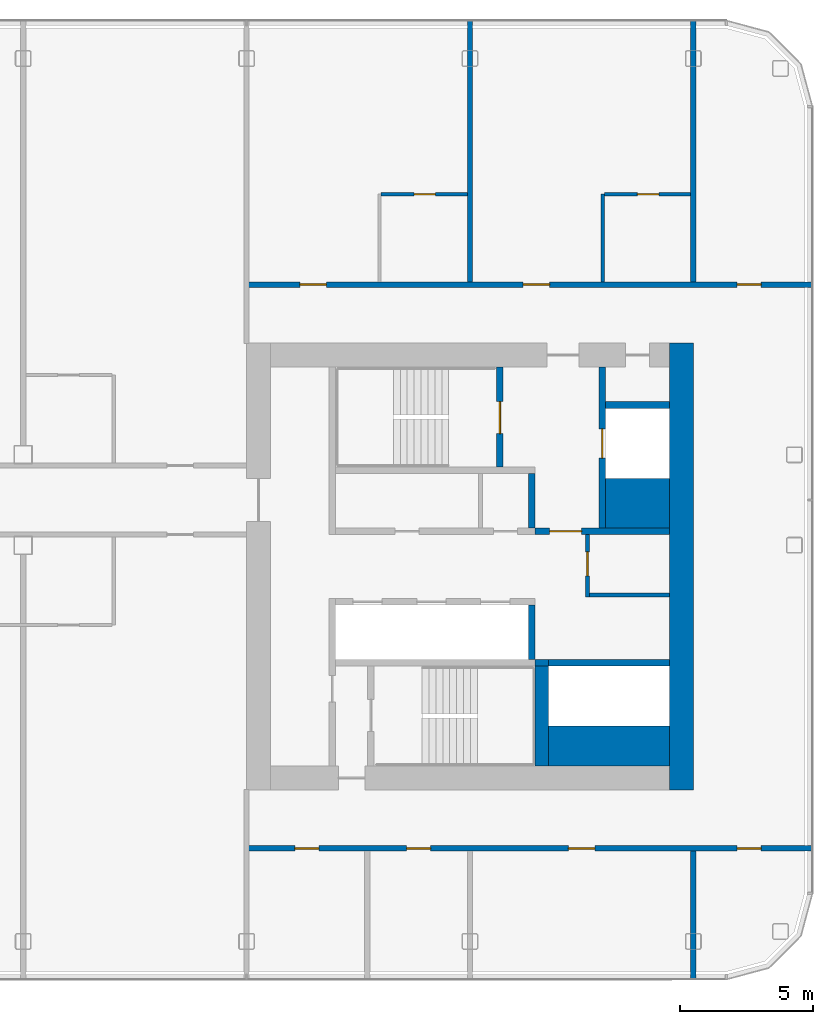
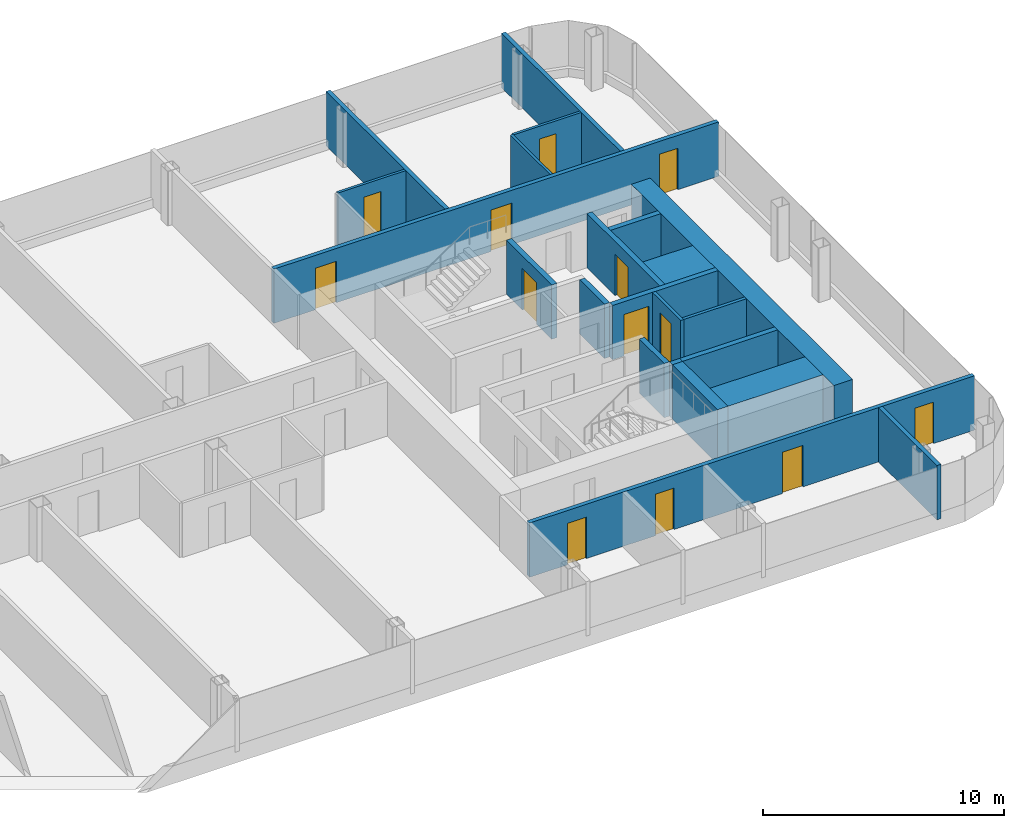
# One storey, part 16 of 25: 22 walls, 13 doors, 13 openings.
"""IFC4 building model written with IfcOpenShell, lengths in metres."""

from ifc_helpers import new_model, si_unit, direction, frame, frame_2d, origin, place, context, subcontext, project, spatial, rectangle, extrude, material, layer, layer_set, type_object, element, fill, save


model = new_model("IFC4")

# Units and contexts
model_context = context("Model", 3, precision=1e-05, world=origin(), true_north=direction((0.0, 1.0)))
body_context = subcontext(model_context, "Body", "Model", "MODEL_VIEW")
ifc_project = project(units=[si_unit("LENGTHUNIT", "METRE"), si_unit("AREAUNIT", "SQUARE_METRE"), si_unit("VOLUMEUNIT", "CUBIC_METRE"), si_unit("PLANEANGLEUNIT", "RADIAN"), si_unit("MASSUNIT", "GRAM", prefix="KILO")], contexts=[model_context])

# Site, building, storey
site_placement = place(None, origin())
site = spatial("IfcSite", under=ifc_project, at=site_placement, CompositionType="ELEMENT")
building_placement = place(site_placement, origin())
building = spatial("IfcBuilding", under=site, at=building_placement, Name="Hakoniwa Tower and Hamabe Station Hall", CompositionType="ELEMENT")
storey_placement = place(building_placement, frame((0.0, 0.0, 202.60009765625)))
storey = spatial("IfcBuildingStorey", under=building, at=storey_placement, Name="L57", CompositionType="ELEMENT", Elevation=202.60009765625)

# Wall, opening, door
ifc_material_1 = material(Name="Gypsum board partition", Category="gypsum")
ifc_layer_1 = layer(ifc_material_1, 0.125)
ifc_layer_set_1 = layer_set([ifc_layer_1], Name="Bathroom Partition 125")
wall_type_1 = type_object("IfcWallType", Name="Bathroom Partition 125", PredefinedType="PARTITIONING", material=ifc_layer_set_1)
wall_1_placement = place(storey_placement, frame((21.862548828125, 14.0, 0.0), z_axis=(0.0, 0.0, 1.0), x_axis=(1.0, 0.0, 0.0)))
wall_1 = element("IfcWall", 1, at=wall_1_placement, inside=storey, type_object=wall_type_1, Name="GW-L57-013", PredefinedType="PARTITIONING", context=body_context, shape_type="SweptSolid", body=[
    extrude(rectangle(XDim=3.237548828125, YDim=0.125, at=frame_2d((1.61865234375, 0.0))), origin(), (0.0, 0.0, 1.0), 2.75),
])
opening_1_placement = place(wall_1_placement, frame((1.237548828125, 0.0, 0.0)))
opening_1 = element("IfcOpeningElement", 2, at=opening_1_placement, cuts=wall_1, Name="Opening GD-G4A1-31", PredefinedType="OPENING", context=body_context, shape_type="SweptSolid", body=[
    extrude(rectangle(XDim=0.800048828125, YDim=2.10009765625, at=frame_2d((0.39990234375, 1.050048828125))), frame((0.0, 0.072509765625, 0.0), z_axis=(0.0, -1.0, 0.0), x_axis=(1.0, 0.0, 0.0)), (0.0, 0.0, 1.0), 0.14501953125),
])
ifc_material_2 = material(Name="Timber door leaf", Category="wood")
door_type_1 = type_object("IfcDoorType", Name="Bathroom Door 800", OperationType="SINGLE_SWING_LEFT", PredefinedType="DOOR", material=ifc_material_2)
door_1_placement = place(opening_1_placement, origin())
door_1 = element("IfcDoor", 3, at=door_1_placement, inside=storey, type_object=door_type_1, Name="Door GD-G4A1-31", OperationType="SINGLE_SWING_RIGHT", OverallHeight=2.10009765625, OverallWidth=0.800048828125, PredefinedType="DOOR", context=body_context, shape_type="SweptSolid", body=[
    extrude(rectangle(XDim=0.800048828125, YDim=2.10009765625, at=frame_2d((0.39990234375, 1.050048828125))), frame((0.0, 0.02490234375, 0.0), z_axis=(0.0, -1.0, 0.0), x_axis=(1.0, 0.0, 0.0)), (0.0, 0.0, 1.0), 0.050048828125),
])
fill(opening_1, door_1)

wall_2_placement = place(storey_placement, frame((30.262451171875, 14.0, 0.0), z_axis=(0.0, 0.0, 1.0), x_axis=(1.0, 0.0, 0.0)))
wall_2 = element("IfcWall", 4, at=wall_2_placement, inside=storey, type_object=wall_type_1, Name="GW-L57-014", PredefinedType="PARTITIONING", context=body_context, shape_type="SweptSolid", body=[
    extrude(rectangle(XDim=3.237548828125, YDim=0.125, at=frame_2d((1.61865234375, 0.0))), origin(), (0.0, 0.0, 1.0), 2.75),
])
opening_2_placement = place(wall_2_placement, frame((1.237548828125, 0.0, 0.0)))
opening_2 = element("IfcOpeningElement", 5, at=opening_2_placement, cuts=wall_2, Name="Opening GD-G4A1-32", PredefinedType="OPENING", context=body_context, shape_type="SweptSolid", body=[
    extrude(rectangle(XDim=0.800048828125, YDim=2.10009765625, at=frame_2d((0.39990234375, 1.050048828125))), frame((0.0, 0.072509765625, 0.0), z_axis=(0.0, -1.0, 0.0), x_axis=(1.0, 0.0, 0.0)), (0.0, 0.0, 1.0), 0.14501953125),
])
door_2_placement = place(opening_2_placement, origin())
door_2 = element("IfcDoor", 6, at=door_2_placement, inside=storey, type_object=door_type_1, Name="Door GD-G4A1-32", OperationType="SINGLE_SWING_LEFT", OverallHeight=2.10009765625, OverallWidth=0.800048828125, PredefinedType="DOOR", context=body_context, shape_type="SweptSolid", body=[
    extrude(rectangle(XDim=0.800048828125, YDim=2.10009765625, at=frame_2d((0.39990234375, 1.050048828125))), frame((0.0, 0.02490234375, 0.0), z_axis=(0.0, -1.0, 0.0), x_axis=(1.0, 0.0, 0.0)), (0.0, 0.0, 1.0), 0.050048828125),
])
fill(opening_2, door_2)

# Wall
wall_3_placement = place(storey_placement, frame((30.199951171875, 10.699951171875, 0.0), z_axis=(0.0, 0.0, 1.0), x_axis=(0.0, 1.0, 0.0)))
element("IfcWall", 7, at=wall_3_placement, inside=storey, type_object=wall_type_1, Name="GW-L57-043", PredefinedType="PARTITIONING", context=body_context, shape_type="SweptSolid", body=[
    extrude(rectangle(XDim=3.300048828125, YDim=0.125, at=frame_2d((1.64990234375, 0.0))), origin(), (0.0, 0.0, 1.0), 2.75),
])

# Wall, opening, door
ifc_material_3 = material(Name="Gypsum board partition")
ifc_layer_2 = layer(ifc_material_3, 0.14990234375)
ifc_layer_set_2 = layer_set([ifc_layer_2], Name="CORE PARTITION 150 EI 60")
wall_type_2 = type_object("IfcWallType", Name="CORE PARTITION 150 EI 60", PredefinedType="PARTITIONING", material=ifc_layer_set_2)
wall_4_placement = place(storey_placement, frame((29.625, -1.14990234375, 0.0), z_axis=(0.0, 0.0, 1.0), x_axis=(0.0, 1.0, 0.0)))
wall_4 = element("IfcWall", 8, at=wall_4_placement, inside=storey, type_object=wall_type_2, Name="Core partition PW0 east", PredefinedType="PARTITIONING", context=body_context, shape_type="SweptSolid", body=[
    extrude(rectangle(XDim=2.349853515625, YDim=0.14990234375, at=frame_2d((1.1748046875, 0.0))), origin(), (0.0, 0.0, 1.0), 2.75),
])
opening_3_placement = place(wall_4_placement, frame((0.800048828125, 0.0, 0.0)))
opening_3 = element("IfcOpeningElement", 9, at=opening_3_placement, cuts=wall_4, Name="Opening CD-E-RM1-9", PredefinedType="OPENING", context=body_context, shape_type="SweptSolid", body=[
    extrude(rectangle(XDim=0.89990234375, YDim=2.10009765625, at=frame_2d((0.449951171875, 1.050048828125))), frame((0.0, 0.0849609375, 0.0), z_axis=(0.0, -1.0, 0.0), x_axis=(1.0, 0.0, 0.0)), (0.0, 0.0, 1.0), 0.169921875),
])
ifc_material_4 = material(Name="Steel fire door", Category="steel")
door_type_2 = type_object("IfcDoorType", Name="CORE DOOR 900 FD30", OperationType="NOTDEFINED", PredefinedType="DOOR", material=ifc_material_4)
door_3_placement = place(opening_3_placement, origin())
door_3 = element("IfcDoor", 10, at=door_3_placement, inside=storey, type_object=door_type_2, Name="Store room door", OperationType="SINGLE_SWING_RIGHT", OverallHeight=2.10009765625, OverallWidth=0.89990234375, PredefinedType="DOOR", context=body_context, shape_type="SweptSolid", body=[
    extrude(rectangle(XDim=0.89990234375, YDim=2.10009765625, at=frame_2d((0.449951171875, 1.050048828125))), frame((0.0, 0.02490234375, 0.0), z_axis=(0.0, -1.0, 0.0), x_axis=(1.0, 0.0, 0.0)), (0.0, 0.0, 1.0), 0.050048828125),
])
fill(opening_3, door_3)

# Walls
wall_5_placement = place(storey_placement, frame((29.699951171875, -1.074951171875, 0.0), z_axis=(0.0, 0.0, 1.0), x_axis=(1.0, 0.0, 0.0)))
element("IfcWall", 11, at=wall_5_placement, inside=storey, type_object=wall_type_2, Name="Core partition PS east", PredefinedType="PARTITIONING", context=body_context, shape_type="SweptSolid", body=[
    extrude(rectangle(XDim=3.0, YDim=0.14990234375, at=frame_2d((1.5, 0.0))), origin(), (0.0, 0.0, 1.0), 2.75),
])
ifc_material_5 = material(Name="Concrete C60", Category="concrete")
ifc_layer_3 = layer(ifc_material_5, 0.89990234375)
ifc_layer_set_3 = layer_set([ifc_layer_3], Name="CORE WALL 900 C60")
wall_type_3 = type_object("IfcWallType", Name="CORE WALL 900 C60", PredefinedType="SHEAR", material=ifc_layer_set_3)
wall_6_placement = place(storey_placement, frame((33.14990234375, -8.39990234375, 0.0), z_axis=(0.0, 0.0, 1.0), x_axis=(0.0, 1.0, 0.0)))
element("IfcWall", 12, at=wall_6_placement, inside=storey, type_object=wall_type_3, Name="Core wall OUTER east", PredefinedType="SHEAR", context=body_context, shape_type="SweptSolid", body=[
    extrude(rectangle(XDim=16.7998046875, YDim=0.89990234375, at=frame_2d((8.39990234375, 0.0))), origin(), (0.0, 0.0, 1.0), 2.75),
])
ifc_material_6 = material(Name="Concrete C60", Category="concrete")
ifc_layer_4 = layer(ifc_material_6, 1.5)
ifc_layer_set_4 = layer_set([ifc_layer_4], Name="CORE WEB WALL 1500 C60")
wall_type_4 = type_object("IfcWallType", Name="CORE WEB WALL 1500 C60", PredefinedType="SHEAR", material=ifc_layer_set_4)
wall_7_placement = place(storey_placement, frame((28.14990234375, -6.75, 0.0), z_axis=(0.0, 0.0, 1.0), x_axis=(1.0, 0.0, 0.0)))
element("IfcWall", 13, at=wall_7_placement, inside=storey, type_object=wall_type_4, Name="Core wall SER east", PredefinedType="SHEAR", context=body_context, shape_type="SweptSolid", body=[
    extrude(rectangle(XDim=4.550048828125, YDim=1.5, at=frame_2d((2.27490234375, 0.0))), origin(), (0.0, 0.0, 1.0), 2.75),
])
ifc_material_7 = material(Name="Concrete C60", Category="concrete")
ifc_layer_5 = layer(ifc_material_7, 1.85009765625)
ifc_layer_set_5 = layer_set([ifc_layer_5], Name="CORE WEB WALL 1850 C60")
wall_type_5 = type_object("IfcWallType", Name="CORE WEB WALL 1850 C60", PredefinedType="SHEAR", material=ifc_layer_set_5)
wall_8_placement = place(storey_placement, frame((30.300048828125, 2.375, 0.0), z_axis=(0.0, 0.0, 1.0), x_axis=(1.0, 0.0, 0.0)))
element("IfcWall", 14, at=wall_8_placement, inside=storey, type_object=wall_type_5, Name="Core wall CA east", PredefinedType="SHEAR", context=body_context, shape_type="SweptSolid", body=[
    extrude(rectangle(XDim=2.39990234375, YDim=1.85009765625, at=frame_2d((1.199951171875, 0.0))), origin(), (0.0, 0.0, 1.0), 2.75),
])
ifc_material_8 = material(Name="Concrete C60", Category="concrete")
ifc_layer_6 = layer(ifc_material_8, 0.25)
ifc_layer_set_6 = layer_set([ifc_layer_6], Name="CORE WEB WALL 250 C60")
wall_type_6 = type_object("IfcWallType", Name="CORE WEB WALL 250 C60", PredefinedType="SHEAR", material=ifc_layer_set_6)
wall_9_placement = place(storey_placement, frame((27.52490234375, 1.449951171875, 0.0), z_axis=(0.0, 0.0, 1.0), x_axis=(0.0, 1.0, 0.0)))
element("IfcWall", 15, at=wall_9_placement, inside=storey, type_object=wall_type_6, Name="Core wall NE east", PredefinedType="SHEAR", context=body_context, shape_type="SweptSolid", body=[
    extrude(rectangle(XDim=2.050048828125, YDim=0.25, at=frame_2d((1.02490234375, 0.0))), origin(), (0.0, 0.0, 1.0), 2.75),
])

# Wall, opening, door
wall_10_placement = place(storey_placement, frame((26.324951171875, 3.75, 0.0), z_axis=(0.0, 0.0, 1.0), x_axis=(0.0, 1.0, 0.0)))
wall_10 = element("IfcWall", 16, at=wall_10_placement, inside=storey, type_object=wall_type_6, Name="Core wall NSE east", PredefinedType="SHEAR", context=body_context, shape_type="SweptSolid", body=[
    extrude(rectangle(XDim=3.75, YDim=0.25, at=frame_2d((1.875, 0.0))), origin(), (0.0, 0.0, 1.0), 2.75),
])
opening_4_placement = place(wall_10_placement, frame((1.25, 0.0, 0.0)))
opening_4 = element("IfcOpeningElement", 17, at=opening_4_placement, cuts=wall_10, Name="Opening CD-E-SN-12", PredefinedType="OPENING", context=body_context, shape_type="SweptSolid", body=[
    extrude(rectangle(XDim=1.199951171875, YDim=2.10009765625, at=frame_2d((0.60009765625, 1.050048828125))), frame((0.0, 0.135009765625, 0.0), z_axis=(0.0, -1.0, 0.0), x_axis=(1.0, 0.0, 0.0)), (0.0, 0.0, 1.0), 0.27001953125),
])
ifc_material_9 = material(Name="Steel fire door", Category="steel")
door_type_3 = type_object("IfcDoorType", Name="CORE DOOR 1200 FD60", OperationType="DOUBLE_DOOR_SINGLE_SWING", PredefinedType="DOOR", material=ifc_material_9)
door_4_placement = place(opening_4_placement, origin())
door_4 = element("IfcDoor", 18, at=door_4_placement, inside=storey, type_object=door_type_3, Name="Escape stair door", OperationType="DOUBLE_DOOR_SINGLE_SWING", OverallHeight=2.10009765625, OverallWidth=1.199951171875, PredefinedType="DOOR", context=body_context, shape_type="SweptSolid", body=[
    extrude(rectangle(XDim=1.199951171875, YDim=2.10009765625, at=frame_2d((0.60009765625, 1.050048828125))), frame((0.0, 0.02490234375, 0.0), z_axis=(0.0, -1.0, 0.0), x_axis=(1.0, 0.0, 0.0)), (0.0, 0.0, 1.0), 0.050048828125),
])
fill(opening_4, door_4)

wall_11_placement = place(storey_placement, frame((27.64990234375, 1.324951171875, 0.0), z_axis=(0.0, 0.0, 1.0), x_axis=(1.0, 0.0, 0.0)))
wall_11 = element("IfcWall", 19, at=wall_11_placement, inside=storey, type_object=wall_type_6, Name="Core wall ELN east", PredefinedType="SHEAR", context=body_context, shape_type="SweptSolid", body=[
    extrude(rectangle(XDim=5.050048828125, YDim=0.25, at=frame_2d((2.52490234375, 0.0))), origin(), (0.0, 0.0, 1.0), 2.75),
])
opening_5_placement = place(wall_11_placement, frame((0.550048828125, 0.0, 0.0)))
opening_5 = element("IfcOpeningElement", 20, at=opening_5_placement, cuts=wall_11, Name="Opening CD-E-FL-12", PredefinedType="OPENING", context=body_context, shape_type="SweptSolid", body=[
    extrude(rectangle(XDim=1.199951171875, YDim=2.10009765625, at=frame_2d((0.60009765625, 1.050048828125))), frame((0.0, 0.135009765625, 0.0), z_axis=(0.0, -1.0, 0.0), x_axis=(1.0, 0.0, 0.0)), (0.0, 0.0, 1.0), 0.27001953125),
])
door_5_placement = place(opening_5_placement, origin())
door_5 = element("IfcDoor", 21, at=door_5_placement, inside=storey, type_object=door_type_3, Name="Stair vestibule door to the fire-fighting lobby", OperationType="DOUBLE_DOOR_SINGLE_SWING", OverallHeight=2.10009765625, OverallWidth=1.199951171875, PredefinedType="DOOR", context=body_context, shape_type="SweptSolid", body=[
    extrude(rectangle(XDim=1.199951171875, YDim=2.10009765625, at=frame_2d((0.60009765625, 1.050048828125))), frame((0.0, 0.02490234375, 0.0), z_axis=(0.0, -1.0, 0.0), x_axis=(1.0, 0.0, 0.0)), (0.0, 0.0, 1.0), 0.050048828125),
])
fill(opening_5, door_5)

wall_12_placement = place(storey_placement, frame((30.175048828125, 1.449951171875, 0.0), z_axis=(0.0, 0.0, 1.0), x_axis=(0.0, 1.0, 0.0)))
wall_12 = element("IfcWall", 22, at=wall_12_placement, inside=storey, type_object=wall_type_6, Name="Core wall FFF east", PredefinedType="SHEAR", context=body_context, shape_type="SweptSolid", body=[
    extrude(rectangle(XDim=6.050048828125, YDim=0.25, at=frame_2d((3.02490234375, 0.0))), origin(), (0.0, 0.0, 1.0), 2.75),
])
opening_6_placement = place(wall_12_placement, frame((2.625, 0.0, 0.0)))
opening_6 = element("IfcOpeningElement", 23, at=opening_6_placement, cuts=wall_12, Name="Opening LD-FF2", PredefinedType="OPENING", context=body_context, shape_type="SweptSolid", body=[
    extrude(rectangle(XDim=1.10009765625, YDim=2.10009765625, at=frame_2d((0.550048828125, 1.050048828125))), frame((0.0, 0.135009765625, 0.0), z_axis=(0.0, -1.0, 0.0), x_axis=(1.0, 0.0, 0.0)), (0.0, 0.0, 1.0), 0.27001953125),
])
ifc_material_10 = material(Name="Stainless steel SUS304", Category="steel")
door_type_4 = type_object("IfcDoorType", Name="LIFT LANDING DOOR 1100 FD60", OperationType="DOUBLE_DOOR_SLIDING", PredefinedType="DOOR", material=ifc_material_10)
door_6_placement = place(opening_6_placement, origin())
door_6 = element("IfcDoor", 24, at=door_6_placement, inside=storey, type_object=door_type_4, Name="Lift landing door FF2 L57", OperationType="DOUBLE_DOOR_SLIDING", OverallHeight=2.10009765625, OverallWidth=1.10009765625, PredefinedType="DOOR", context=body_context, shape_type="SweptSolid", body=[
    extrude(rectangle(XDim=1.10009765625, YDim=2.10009765625, at=frame_2d((0.550048828125, 1.050048828125))), frame((0.0, 0.02490234375, 0.0), z_axis=(0.0, -1.0, 0.0), x_axis=(1.0, 0.0, 0.0)), (0.0, 0.0, 1.0), 0.050048828125),
])
fill(opening_6, door_6)

# Walls
wall_13_placement = place(storey_placement, frame((30.300048828125, 6.074951171875, 0.0), z_axis=(0.0, 0.0, 1.0), x_axis=(1.0, 0.0, 0.0)))
element("IfcWall", 25, at=wall_13_placement, inside=storey, type_object=wall_type_6, Name="Core wall C2 east", PredefinedType="SHEAR", context=body_context, shape_type="SweptSolid", body=[
    extrude(rectangle(XDim=2.39990234375, YDim=0.25, at=frame_2d((1.199951171875, 0.0))), origin(), (0.0, 0.0, 1.0), 2.75),
])
wall_14_placement = place(storey_placement, frame((27.52490234375, -3.5, 0.0), z_axis=(0.0, 0.0, 1.0), x_axis=(0.0, 1.0, 0.0)))
element("IfcWall", 26, at=wall_14_placement, inside=storey, type_object=wall_type_6, Name="Core wall SE east", PredefinedType="SHEAR", context=body_context, shape_type="SweptSolid", body=[
    extrude(rectangle(XDim=2.050048828125, YDim=0.25, at=frame_2d((1.02490234375, 0.0))), origin(), (0.0, 0.0, 1.0), 2.75),
])
wall_15_placement = place(storey_placement, frame((28.14990234375, -3.625, 0.0), z_axis=(0.0, 0.0, 1.0), x_axis=(1.0, 0.0, 0.0)))
element("IfcWall", 27, at=wall_15_placement, inside=storey, type_object=wall_type_6, Name="Core wall SEF east", PredefinedType="SHEAR", context=body_context, shape_type="SweptSolid", body=[
    extrude(rectangle(XDim=4.550048828125, YDim=0.25, at=frame_2d((2.27490234375, 0.0))), origin(), (0.0, 0.0, 1.0), 2.75),
])
wall_16_placement = place(storey_placement, frame((27.64990234375, -3.625, 0.0), z_axis=(0.0, 0.0, 1.0), x_axis=(1.0, 0.0, 0.0)))
element("IfcWall", 28, at=wall_16_placement, inside=storey, type_object=wall_type_6, Name="Core wall SRK east", PredefinedType="SHEAR", context=body_context, shape_type="SweptSolid", body=[
    extrude(rectangle(XDim=0.5, YDim=0.25, at=frame_2d((0.25, 0.0))), origin(), (0.0, 0.0, 1.0), 2.75),
])
ifc_material_11 = material(Name="Concrete C60", Category="concrete")
ifc_layer_7 = layer(ifc_material_11, 0.5)
ifc_layer_set_7 = layer_set([ifc_layer_7], Name="CORE WEB WALL 500 C60")
wall_type_7 = type_object("IfcWallType", Name="CORE WEB WALL 500 C60", PredefinedType="SHEAR", material=ifc_layer_set_7)
wall_17_placement = place(storey_placement, frame((27.89990234375, -7.5, 0.0), z_axis=(0.0, 0.0, 1.0), x_axis=(0.0, 1.0, 0.0)))
element("IfcWall", 29, at=wall_17_placement, inside=storey, type_object=wall_type_7, Name="Core wall SSE east", PredefinedType="SHEAR", context=body_context, shape_type="SweptSolid", body=[
    extrude(rectangle(XDim=3.75, YDim=0.5, at=frame_2d((1.875, 0.0))), origin(), (0.0, 0.0, 1.0), 2.75),
])

# Wall, openings, doors
ifc_material_12 = material(Name="Fire-rated gypsum board partition", Category="gypsum")
ifc_layer_8 = layer(ifc_material_12, 0.199951171875)
ifc_layer_set_8 = layer_set([ifc_layer_8], Name="Corridor Wall 200")
wall_type_8 = type_object("IfcWallType", Name="Corridor Wall 200", PredefinedType="PARTITIONING", material=ifc_layer_set_8)
wall_18_placement = place(storey_placement, frame((16.800048828125, -10.60009765625, 0.0), z_axis=(0.0, 0.0, 1.0), x_axis=(1.0, 0.0, 0.0)))
wall_18 = element("IfcWall", 30, at=wall_18_placement, inside=storey, type_object=wall_type_8, Name="GW-L57-002", PredefinedType="PARTITIONING", context=body_context, shape_type="SweptSolid", body=[
    extrude(rectangle(XDim=21.300048828125, YDim=0.199951171875, at=frame_2d((10.64990234375, 0.0))), origin(), (0.0, 0.0, 1.0), 2.75),
])
opening_7_placement = place(wall_18_placement, frame((1.820068359375, 0.0, 0.0)))
opening_7 = element("IfcOpeningElement", 31, at=opening_7_placement, cuts=wall_18, Name="Opening GD-G4A1-06", PredefinedType="OPENING", context=body_context, shape_type="SweptSolid", body=[
    extrude(rectangle(XDim=0.89990234375, YDim=2.10009765625, at=frame_2d((0.449951171875, 1.050048828125))), frame((0.0, 0.10986328125, 0.0), z_axis=(0.0, -1.0, 0.0), x_axis=(1.0, 0.0, 0.0)), (0.0, 0.0, 1.0), 0.219970703125),
])
opening_8_placement = place(wall_18_placement, frame((6.02001953125, 0.0, 0.0)))
opening_8 = element("IfcOpeningElement", 32, at=opening_8_placement, cuts=wall_18, Name="Opening GD-G4A1-07", PredefinedType="OPENING", context=body_context, shape_type="SweptSolid", body=[
    extrude(rectangle(XDim=0.89990234375, YDim=2.10009765625, at=frame_2d((0.449951171875, 1.050048828125))), frame((0.0, 0.10986328125, 0.0), z_axis=(0.0, -1.0, 0.0), x_axis=(1.0, 0.0, 0.0)), (0.0, 0.0, 1.0), 0.219970703125),
])
opening_9_placement = place(wall_18_placement, frame((12.10009765625, 0.0, 0.0)))
opening_9 = element("IfcOpeningElement", 33, at=opening_9_placement, cuts=wall_18, Name="Opening GD-G4A1-08", PredefinedType="OPENING", context=body_context, shape_type="SweptSolid", body=[
    extrude(rectangle(XDim=1.0, YDim=2.10009765625, at=frame_2d((0.5, 1.050048828125))), frame((0.0, 0.10986328125, 0.0), z_axis=(0.0, -1.0, 0.0), x_axis=(1.0, 0.0, 0.0)), (0.0, 0.0, 1.0), 0.219970703125),
])
opening_10_placement = place(wall_18_placement, frame((18.449951171875, 0.0, 0.0)))
opening_10 = element("IfcOpeningElement", 34, at=opening_10_placement, cuts=wall_18, Name="Opening GD-G4A1-09", PredefinedType="OPENING", context=body_context, shape_type="SweptSolid", body=[
    extrude(rectangle(XDim=0.89990234375, YDim=2.10009765625, at=frame_2d((0.449951171875, 1.050048828125))), frame((0.0, 0.10986328125, 0.0), z_axis=(0.0, -1.0, 0.0), x_axis=(1.0, 0.0, 0.0)), (0.0, 0.0, 1.0), 0.219970703125),
])
ifc_material_13 = material(Name="Timber door leaf", Category="wood")
door_type_5 = type_object("IfcDoorType", Name="Guest Entrance Door 1000", OperationType="SINGLE_SWING_LEFT", PredefinedType="DOOR", material=ifc_material_13)
door_7_placement = place(opening_9_placement, origin())
door_7 = element("IfcDoor", 35, at=door_7_placement, inside=storey, type_object=door_type_5, Name="Door GD-G4A1-08", OperationType="SINGLE_SWING_RIGHT", OverallHeight=2.10009765625, OverallWidth=1.0, PredefinedType="DOOR", context=body_context, shape_type="SweptSolid", body=[
    extrude(rectangle(XDim=1.0, YDim=2.10009765625, at=frame_2d((0.5, 1.050048828125))), frame((0.0, 0.02490234375, 0.0), z_axis=(0.0, -1.0, 0.0), x_axis=(1.0, 0.0, 0.0)), (0.0, 0.0, 1.0), 0.050048828125),
])
fill(opening_9, door_7)
ifc_material_14 = material(Name="Timber door leaf", Category="wood")
door_type_6 = type_object("IfcDoorType", Name="Service Door 900", OperationType="SINGLE_SWING_LEFT", PredefinedType="DOOR", material=ifc_material_14)
door_8_placement = place(opening_7_placement, origin())
door_8 = element("IfcDoor", 36, at=door_8_placement, inside=storey, type_object=door_type_6, Name="Door GD-G4A1-06", OperationType="SINGLE_SWING_RIGHT", OverallHeight=2.10009765625, OverallWidth=0.89990234375, PredefinedType="DOOR", context=body_context, shape_type="SweptSolid", body=[
    extrude(rectangle(XDim=0.89990234375, YDim=2.10009765625, at=frame_2d((0.449951171875, 1.050048828125))), frame((0.0, 0.02490234375, 0.0), z_axis=(0.0, -1.0, 0.0), x_axis=(1.0, 0.0, 0.0)), (0.0, 0.0, 1.0), 0.050048828125),
])
fill(opening_7, door_8)
door_9_placement = place(opening_8_placement, origin())
door_9 = element("IfcDoor", 37, at=door_9_placement, inside=storey, type_object=door_type_6, Name="Door GD-G4A1-07", OperationType="SINGLE_SWING_LEFT", OverallHeight=2.10009765625, OverallWidth=0.89990234375, PredefinedType="DOOR", context=body_context, shape_type="SweptSolid", body=[
    extrude(rectangle(XDim=0.89990234375, YDim=2.10009765625, at=frame_2d((0.449951171875, 1.050048828125))), frame((0.0, 0.02490234375, 0.0), z_axis=(0.0, -1.0, 0.0), x_axis=(1.0, 0.0, 0.0)), (0.0, 0.0, 1.0), 0.050048828125),
])
fill(opening_8, door_9)
door_10_placement = place(opening_10_placement, origin())
door_10 = element("IfcDoor", 38, at=door_10_placement, inside=storey, type_object=door_type_6, Name="Door GD-G4A1-09", OperationType="SINGLE_SWING_LEFT", OverallHeight=2.10009765625, OverallWidth=0.89990234375, PredefinedType="DOOR", context=body_context, shape_type="SweptSolid", body=[
    extrude(rectangle(XDim=0.89990234375, YDim=2.10009765625, at=frame_2d((0.449951171875, 1.050048828125))), frame((0.0, 0.02490234375, 0.0), z_axis=(0.0, -1.0, 0.0), x_axis=(1.0, 0.0, 0.0)), (0.0, 0.0, 1.0), 0.050048828125),
])
fill(opening_10, door_10)

wall_19_placement = place(storey_placement, frame((16.800048828125, 10.60009765625, 0.0), z_axis=(0.0, 0.0, 1.0), x_axis=(1.0, 0.0, 0.0)))
wall_19 = element("IfcWall", 39, at=wall_19_placement, inside=storey, type_object=wall_type_8, Name="GW-L57-010", PredefinedType="PARTITIONING", context=body_context, shape_type="SweptSolid", body=[
    extrude(rectangle(XDim=21.300048828125, YDim=0.199951171875, at=frame_2d((10.64990234375, 0.0))), origin(), (0.0, 0.0, 1.0), 2.75),
])
opening_11_placement = place(wall_19_placement, frame((2.0, 0.0, 0.0)))
opening_11 = element("IfcOpeningElement", 40, at=opening_11_placement, cuts=wall_19, Name="Opening GD-G4A1-27", PredefinedType="OPENING", context=body_context, shape_type="SweptSolid", body=[
    extrude(rectangle(XDim=1.0, YDim=2.10009765625, at=frame_2d((0.5, 1.050048828125))), frame((0.0, 0.10986328125, 0.0), z_axis=(0.0, -1.0, 0.0), x_axis=(1.0, 0.0, 0.0)), (0.0, 0.0, 1.0), 0.219970703125),
])
opening_12_placement = place(wall_19_placement, frame((10.39990234375, 0.0, 0.0)))
opening_12 = element("IfcOpeningElement", 41, at=opening_12_placement, cuts=wall_19, Name="Opening GD-G4A1-28", PredefinedType="OPENING", context=body_context, shape_type="SweptSolid", body=[
    extrude(rectangle(XDim=1.0, YDim=2.10009765625, at=frame_2d((0.5, 1.050048828125))), frame((0.0, 0.10986328125, 0.0), z_axis=(0.0, -1.0, 0.0), x_axis=(1.0, 0.0, 0.0)), (0.0, 0.0, 1.0), 0.219970703125),
])
opening_13_placement = place(wall_19_placement, frame((18.449951171875, 0.0, 0.0)))
opening_13 = element("IfcOpeningElement", 42, at=opening_13_placement, cuts=wall_19, Name="Opening GD-G4A1-29", PredefinedType="OPENING", context=body_context, shape_type="SweptSolid", body=[
    extrude(rectangle(XDim=0.89990234375, YDim=2.10009765625, at=frame_2d((0.449951171875, 1.050048828125))), frame((0.0, 0.10986328125, 0.0), z_axis=(0.0, -1.0, 0.0), x_axis=(1.0, 0.0, 0.0)), (0.0, 0.0, 1.0), 0.219970703125),
])
door_11_placement = place(opening_11_placement, origin())
door_11 = element("IfcDoor", 43, at=door_11_placement, inside=storey, type_object=door_type_5, Name="Door GD-G4A1-27", OperationType="SINGLE_SWING_RIGHT", OverallHeight=2.10009765625, OverallWidth=1.0, PredefinedType="DOOR", context=body_context, shape_type="SweptSolid", body=[
    extrude(rectangle(XDim=1.0, YDim=2.10009765625, at=frame_2d((0.5, 1.050048828125))), frame((0.0, 0.02490234375, 0.0), z_axis=(0.0, -1.0, 0.0), x_axis=(1.0, 0.0, 0.0)), (0.0, 0.0, 1.0), 0.050048828125),
])
fill(opening_11, door_11)
door_12_placement = place(opening_12_placement, origin())
door_12 = element("IfcDoor", 44, at=door_12_placement, inside=storey, type_object=door_type_5, Name="Door GD-G4A1-28", OperationType="SINGLE_SWING_LEFT", OverallHeight=2.10009765625, OverallWidth=1.0, PredefinedType="DOOR", context=body_context, shape_type="SweptSolid", body=[
    extrude(rectangle(XDim=1.0, YDim=2.10009765625, at=frame_2d((0.5, 1.050048828125))), frame((0.0, 0.02490234375, 0.0), z_axis=(0.0, -1.0, 0.0), x_axis=(1.0, 0.0, 0.0)), (0.0, 0.0, 1.0), 0.050048828125),
])
fill(opening_12, door_12)
door_13_placement = place(opening_13_placement, origin())
door_13 = element("IfcDoor", 45, at=door_13_placement, inside=storey, type_object=door_type_6, Name="Door GD-G4A1-29", OperationType="SINGLE_SWING_RIGHT", OverallHeight=2.10009765625, OverallWidth=0.89990234375, PredefinedType="DOOR", context=body_context, shape_type="SweptSolid", body=[
    extrude(rectangle(XDim=0.89990234375, YDim=2.10009765625, at=frame_2d((0.449951171875, 1.050048828125))), frame((0.0, 0.02490234375, 0.0), z_axis=(0.0, -1.0, 0.0), x_axis=(1.0, 0.0, 0.0)), (0.0, 0.0, 1.0), 0.050048828125),
])
fill(opening_13, door_13)

# Walls
ifc_material_15 = material(Name="Fire-rated gypsum board partition", Category="gypsum")
ifc_layer_9 = layer(ifc_material_15, 0.199951171875)
ifc_layer_set_9 = layer_set([ifc_layer_9], Name="Party Wall 200")
wall_type_9 = type_object("IfcWallType", Name="Party Wall 200", PredefinedType="PARTITIONING", material=ifc_layer_set_9)
wall_20_placement = place(storey_placement, frame((25.199951171875, 10.699951171875, 0.0), z_axis=(0.0, 0.0, 1.0), x_axis=(0.0, 1.0, 0.0)))
element("IfcWall", 46, at=wall_20_placement, inside=storey, type_object=wall_type_9, Name="GW-L57-042", PredefinedType="PARTITIONING", context=body_context, shape_type="SweptSolid", body=[
    extrude(rectangle(XDim=9.85009765625, YDim=0.199951171875, at=frame_2d((4.925048828125, 0.0))), origin(), (0.0, 0.0, 1.0), 2.75),
])
wall_21_placement = place(storey_placement, frame((33.60009765625, -15.550048828125, 0.0), z_axis=(0.0, 0.0, 1.0), x_axis=(0.0, 1.0, 0.0)))
element("IfcWall", 47, at=wall_21_placement, inside=storey, type_object=wall_type_9, Name="GW-L57-044", PredefinedType="PARTITIONING", context=body_context, shape_type="SweptSolid", body=[
    extrude(rectangle(XDim=4.85009765625, YDim=0.199951171875, at=frame_2d((2.425048828125, 0.0))), origin(), (0.0, 0.0, 1.0), 2.75),
])
wall_22_placement = place(storey_placement, frame((33.60009765625, 10.699951171875, 0.0), z_axis=(0.0, 0.0, 1.0), x_axis=(0.0, 1.0, 0.0)))
element("IfcWall", 48, at=wall_22_placement, inside=storey, type_object=wall_type_9, Name="GW-L57-045", PredefinedType="PARTITIONING", context=body_context, shape_type="SweptSolid", body=[
    extrude(rectangle(XDim=9.85009765625, YDim=0.199951171875, at=frame_2d((4.925048828125, 0.0))), origin(), (0.0, 0.0, 1.0), 2.75),
])

save(model, "model.ifc")
